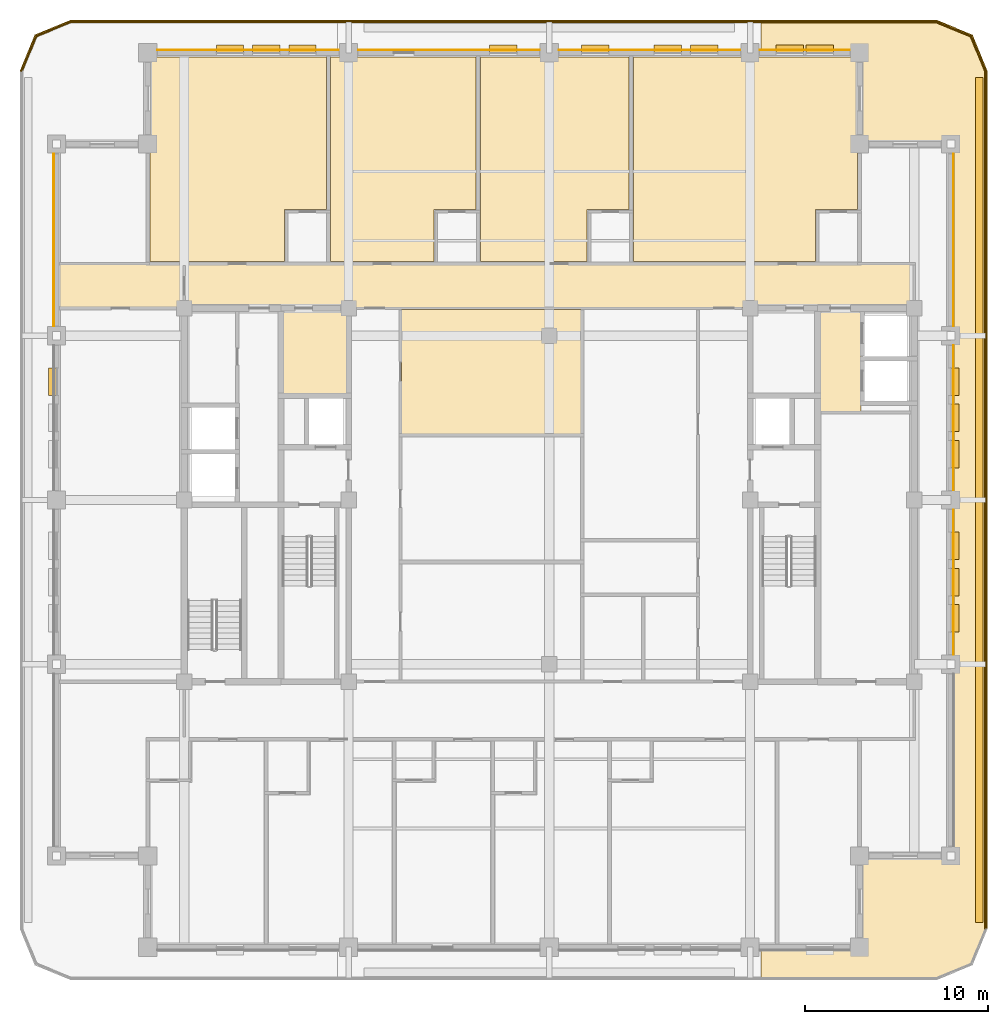
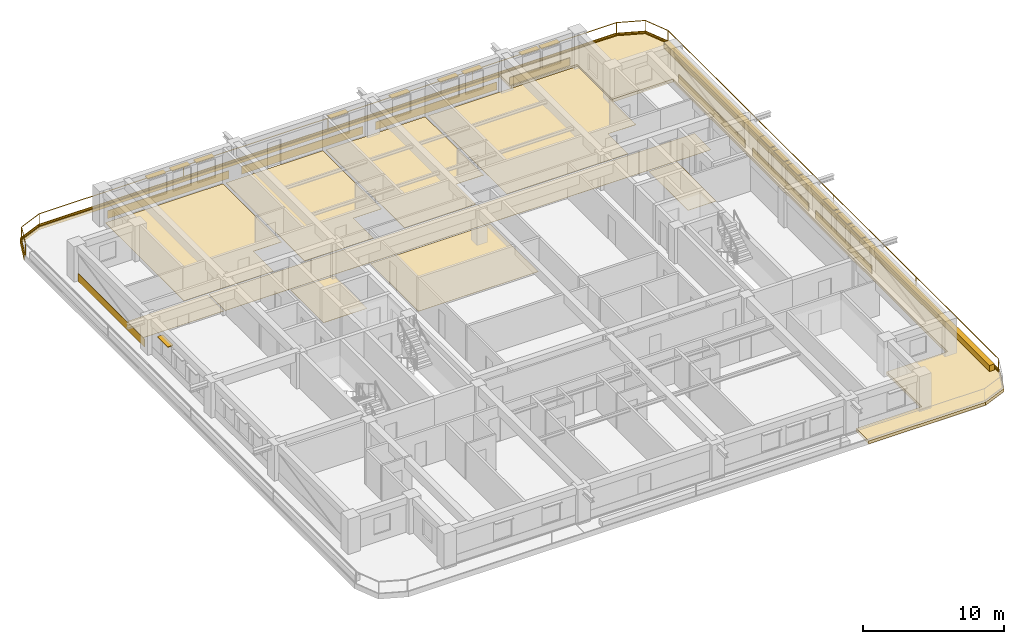
# One storey, part 14 of 14: 25 coverings, 16 shading devices, 2 railings.
"""IFC4 building model written with IfcOpenShell, lengths in metres."""

from ifc_helpers import new_model, si_unit, direction, frame, frame_2d, origin, origin_2d, place, context, subcontext, project, spatial, polyline, rectangle, outline, extrude, material, layer, layer_set, type_object, element, save


model = new_model("IFC4")

# Units and contexts
model_context = context("Model", 3, precision=1e-05, world=origin(), true_north=direction((0.0, 1.0)))
body_context = subcontext(model_context, "Body", "Model", "MODEL_VIEW")
ifc_project = project(units=[si_unit("LENGTHUNIT", "METRE"), si_unit("AREAUNIT", "SQUARE_METRE"), si_unit("VOLUMEUNIT", "CUBIC_METRE"), si_unit("PLANEANGLEUNIT", "RADIAN"), si_unit("MASSUNIT", "GRAM", prefix="KILO")], contexts=[model_context])

# Site, building, storey
site_placement = place(None, origin())
site = spatial("IfcSite", under=ifc_project, at=site_placement, CompositionType="ELEMENT")
building_placement = place(site_placement, origin())
building = spatial("IfcBuilding", under=site, at=building_placement, Name="Zulmaris Gate Convention Tower", CompositionType="ELEMENT")
storey_placement = place(building_placement, frame((0.0, 0.0, 208.4599609375)))
storey = spatial("IfcBuildingStorey", under=building, at=storey_placement, Name="L54", CompositionType="ELEMENT", Elevation=208.4599609375)

# Coverings
ifc_material_1 = material(Name="Precast concrete C40/50", Category="concrete")
ifc_layer_1 = layer(ifc_material_1, 0.0400390625, Name="Precast concrete C40/50")
ifc_layer_set_1 = layer_set([ifc_layer_1], Name="Precast concrete C40/50")
covering_type_1 = type_object("IfcCoveringType", Name="CLAD-SPANDREL-PRECAST", PredefinedType="CLADDING", material=ifc_layer_set_1)
for number, where, z_axis, x_axis, name in (
    (1, (-11.530029296875, 24.64990234375, 0.0), (0.0, 0.0, 1.0), (-1.0, 0.0, 0.0), "CLD-L54-N-0_0"),
    (2, (-0.530029296875, 24.64990234375, 0.0), (0.0, 0.0, 1.0), (-1.0, 0.0, 0.0), "CLD-L54-N-1_0"),
    (3, (10.469970703125, 24.64990234375, 0.0), (0.0, 0.0, 1.0), (-1.0, 0.0, 0.0), "CLD-L54-N-2_0"),
):
    element("IfcCovering", number, at=place(storey_placement, frame(where, z_axis=z_axis, x_axis=x_axis)), inside=storey, type_object=covering_type_1, Name=name, PredefinedType="CLADDING", context=body_context, shape_type="SweptSolid", body=[
        extrude(rectangle(XDim=9.93994140625, YDim=0.0400390625, at=frame_2d((4.969970703125, 0.0))), origin(), (0.0, 0.0, 1.0), 0.679931640625),
    ])
covering_1_placement = place(storey_placement, frame((16.469970703125, 24.64990234375, 0.0), z_axis=(0.0, 0.0, 1.0), x_axis=(-1.0, 0.0, 0.0)))
element("IfcCovering", 4, at=covering_1_placement, inside=storey, type_object=covering_type_1, Name="CLD-L54-N-3_0", PredefinedType="CLADDING", context=body_context, shape_type="SweptSolid", body=[
    extrude(rectangle(XDim=4.93994140625, YDim=0.0400390625, at=frame_2d((2.469970703125, 0.0))), origin(), (0.0, 0.0, 1.0), 0.679931640625),
])
for number, where, z_axis, x_axis, name in (
    (5, (22.14990234375, -8.469970703125, 0.0), (0.0, 0.0, 1.0), (0.0, 1.0, 0.0), "CLD-L54-E-1_0"),
    (6, (22.14990234375, 0.530029296875, 0.0), (0.0, 0.0, 1.0), (0.0, 1.0, 0.0), "CLD-L54-E-2_0"),
):
    element("IfcCovering", number, at=place(storey_placement, frame(where, z_axis=z_axis, x_axis=x_axis)), inside=storey, type_object=covering_type_1, Name=name, PredefinedType="CLADDING", context=body_context, shape_type="SweptSolid", body=[
        extrude(rectangle(XDim=7.93994140625, YDim=0.0400390625, at=frame_2d((3.969970703125, 0.0))), origin(), (0.0, 0.0, 1.0), 0.679931640625),
    ])
for number, where, z_axis, x_axis, name in (
    (7, (22.14990234375, 9.530029296875, 0.0), (0.0, 0.0, 1.0), (0.0, 1.0, 0.0), "CLD-L54-E-3_0"),
    (8, (-27.14990234375, 18.969970703125, 0.0), (0.0, 0.0, 1.0), (0.0, -1.0, 0.0), "CLD-L54-W-3_0"),
):
    element("IfcCovering", number, at=place(storey_placement, frame(where, z_axis=z_axis, x_axis=x_axis)), inside=storey, type_object=covering_type_1, Name=name, PredefinedType="CLADDING", context=body_context, shape_type="SweptSolid", body=[
        extrude(rectangle(XDim=9.43994140625, YDim=0.0400390625, at=frame_2d((4.719970703125, 0.0))), origin(), (0.0, 0.0, 1.0), 0.679931640625),
    ])
ifc_material_2 = material(Name="White Glazed Architectural Precast Concrete C40/50", Category="concrete")
ifc_layer_2 = layer(ifc_material_2, 0.239990234375, Name="White Glazed Architectural Precast Concrete C40/50")
ifc_layer_set_2 = layer_set([ifc_layer_2], Name="White Glazed Architectural Precast Concrete C40/50")
covering_type_2 = type_object("IfcCoveringType", Name="CLAD-TRAY-DECK", PredefinedType="CLADDING", material=ifc_layer_set_2)
covering_2_placement = place(storey_placement, frame((0.0, 0.0, -0.25)))
element("IfcCovering", 9, at=covering_2_placement, inside=storey, type_object=covering_type_2, Name="L54 East Rounded-Fascia Planter Tray Deck", PredefinedType="CLADDING", context=body_context, shape_type="SweptSolid", body=[
    extrude(outline(polyline([(21.199951171875, 26.300048828125), (23.179931640625, 25.47998046875), (24.0, 23.5), (24.0, -23.5), (23.179931640625, -25.47998046875), (21.199951171875, -26.300048828125), (11.60205078125, -26.300048828125), (11.60205078125, -24.5), (17.0, -24.5), (17.0, -19.5), (22.0, -19.5), (22.0, 19.5), (17.0, 19.5), (17.0, 24.5), (11.60205078125, 24.5), (11.60205078125, 26.300048828125), (21.199951171875, 26.300048828125)])), origin(), (0.0, 0.0, 1.0), 0.260009765625),
])
ifc_layer_3 = layer(ifc_material_2, 0.080078125, Name="White Glazed Architectural Precast Concrete C40/50")
ifc_layer_set_3 = layer_set([ifc_layer_3], Name="White Glazed Architectural Precast Concrete C40/50")
covering_type_3 = type_object("IfcCoveringType", Name="CLAD-TRAY-FASCIA", PredefinedType="CLADDING", material=ifc_layer_set_3)
covering_3_placement = place(storey_placement, frame((23.9599609375, -23.5, -0.2900390625), z_axis=(0.0, 0.0, 1.0), x_axis=(0.0, 1.0, 0.0)))
element("IfcCovering", 10, at=covering_3_placement, inside=storey, type_object=covering_type_3, Name="FSC-L54-TR-05", PredefinedType="CLADDING", context=body_context, shape_type="SweptSolid", body=[
    extrude(rectangle(XDim=47.0, YDim=0.080078125, at=frame_2d((23.5, 0.0))), origin(), (0.0, 0.0, 1.0), 0.4599609375),
])
covering_4_placement = place(storey_placement, frame((23.962890625, 23.484619140625, -0.2900390625), z_axis=(0.0, 0.0, 1.0), x_axis=(-0.382656984709, 0.923890487046, 0.0)))
element("IfcCovering", 11, at=covering_4_placement, inside=storey, type_object=covering_type_3, Name="FSC-L54-TR-06", PredefinedType="CLADDING", context=body_context, shape_type="SweptSolid", body=[
    extrude(rectangle(XDim=2.14306640625, YDim=0.080078125, at=frame_2d((1.071533203125, 0.0))), origin(), (0.0, 0.0, 1.0), 0.4599609375),
])
covering_5_placement = place(storey_placement, frame((23.16455078125, 25.44287109375, -0.2900390625), z_axis=(0.0, 0.0, 1.0), x_axis=(-0.923873803533, 0.382697263049, 0.0)))
element("IfcCovering", 12, at=covering_5_placement, inside=storey, type_object=covering_type_3, Name="FSC-L54-TR-07", PredefinedType="CLADDING", context=body_context, shape_type="SweptSolid", body=[
    extrude(rectangle(XDim=2.142822265625, YDim=0.080078125, at=frame_2d((1.0712890625, 0.0))), origin(), (0.0, 0.0, 1.0), 0.4599609375),
])
covering_6_placement = place(storey_placement, frame((21.199951171875, 26.260009765625, -0.2900390625), z_axis=(0.0, 0.0, 1.0), x_axis=(-1.0, 0.0, 0.0)))
element("IfcCovering", 13, at=covering_6_placement, inside=storey, type_object=covering_type_3, Name="FSC-L54-TR-08", PredefinedType="CLADDING", context=body_context, shape_type="SweptSolid", body=[
    extrude(rectangle(XDim=47.39990234375, YDim=0.080078125, at=frame_2d((23.699951171875, 0.0))), origin(), (0.0, 0.0, 1.0), 0.4599609375),
])
covering_7_placement = place(storey_placement, frame((-26.184814453125, 26.262939453125, -0.2900390625), z_axis=(0.0, 0.0, 1.0), x_axis=(-0.923873803533, -0.382697263049, 0.0)))
element("IfcCovering", 14, at=covering_7_placement, inside=storey, type_object=covering_type_3, Name="FSC-L54-TR-09", PredefinedType="CLADDING", context=body_context, shape_type="SweptSolid", body=[
    extrude(rectangle(XDim=2.142822265625, YDim=0.080078125, at=frame_2d((1.0712890625, 0.0))), origin(), (0.0, 0.0, 1.0), 0.4599609375),
])
covering_8_placement = place(storey_placement, frame((-28.142822265625, 25.464599609375, -0.2900390625), z_axis=(0.0, 0.0, 1.0), x_axis=(-0.382656984709, -0.923890487046, 0.0)))
element("IfcCovering", 15, at=covering_8_placement, inside=storey, type_object=covering_type_3, Name="FSC-L54-TR-10", PredefinedType="CLADDING", context=body_context, shape_type="SweptSolid", body=[
    extrude(rectangle(XDim=2.14306640625, YDim=0.080078125, at=frame_2d((1.071533203125, 0.0))), origin(), (0.0, 0.0, 1.0), 0.4599609375),
])
ifc_material_3 = material(Name="Woven Acoustic Wool Carpet Tile")
ifc_layer_4 = layer(ifc_material_3, 0.02001953125, Name="Woven Acoustic Wool Carpet Tile")
ifc_layer_set_4 = layer_set([ifc_layer_4], Name="Woven Acoustic Wool Carpet Tile")
covering_type_4 = type_object("IfcCoveringType", Name="FLR-CARPET-12", PredefinedType="FLOORING", material=ifc_layer_set_4)
covering_9_placement = place(storey_placement, origin())
element("IfcCovering", 16, at=covering_9_placement, inside=storey, type_object=covering_type_4, Name="FLR-L54-R11", PredefinedType="FLOORING", context=body_context, shape_type="SweptSolid", body=[
    extrude(outline(polyline([(-14.639892578125, 5.760009765625), (-11.06005859375, 5.760009765625), (-11.06005859375, 10.43994140625), (-14.639892578125, 10.43994140625), (-14.639892578125, 5.760009765625)])), origin(), (0.0, 0.0, 1.0), 0.02001953125),
])
covering_10_placement = place(storey_placement, origin())
element("IfcCovering", 17, at=covering_10_placement, inside=storey, type_object=covering_type_4, Name="FLR-L54-R21", PredefinedType="FLOORING", context=body_context, shape_type="SweptSolid", body=[
    extrude(outline(polyline([(14.760009765625, 4.860107421875), (17.090087890625, 4.860107421875), (17.090087890625, 10.43994140625), (14.760009765625, 10.43994140625), (14.760009765625, 4.860107421875)])), origin(), (0.0, 0.0, 1.0), 0.02001953125),
])
covering_11_placement = place(storey_placement, origin())
element("IfcCovering", 18, at=covering_11_placement, inside=storey, type_object=covering_type_4, Name="FLR-L54-R25", PredefinedType="FLOORING", context=body_context, shape_type="SweptSolid", body=[
    extrude(outline(polyline([(-19.93994140625, 10.56005859375), (19.93994140625, 10.56005859375), (19.93994140625, 12.889892578125), (-19.93994140625, 12.889892578125), (-19.93994140625, 10.56005859375)])), origin(), (0.0, 0.0, 1.0), 0.02001953125),
])
covering_12_placement = place(storey_placement, origin())
element("IfcCovering", 19, at=covering_12_placement, inside=storey, type_object=covering_type_4, Name="FLR-L54-R55", PredefinedType="FLOORING", context=body_context, shape_type="SweptSolid", body=[
    extrude(outline(polyline([(-26.93994140625, 10.56005859375), (-20.06005859375, 10.56005859375), (-20.06005859375, 12.889892578125), (-26.93994140625, 12.889892578125), (-26.93994140625, 10.56005859375)])), origin(), (0.0, 0.0, 1.0), 0.02001953125),
])
ifc_material_4 = material(Name="Engineered Teak Parquet Flooring")
ifc_layer_5 = layer(ifc_material_4, 0.02001953125, Name="Engineered Teak Parquet Flooring")
ifc_layer_set_5 = layer_set([ifc_layer_5], Name="Engineered Teak Parquet Flooring")
covering_type_5 = type_object("IfcCoveringType", Name="FLR-TIMBER-18", PredefinedType="FLOORING", material=ifc_layer_set_5)
covering_13_placement = place(storey_placement, origin())
element("IfcCovering", 20, at=covering_13_placement, inside=storey, type_object=covering_type_5, Name="FLR-L54-R30", PredefinedType="FLOORING", context=body_context, shape_type="SweptSolid", body=[
    extrude(outline(polyline([(-21.8798828125, 13.070068359375), (-14.52001953125, 13.070068359375), (-14.52001953125, 15.919921875), (-12.219970703125, 15.919921875), (-12.219970703125, 24.260009765625), (-21.8798828125, 24.260009765625), (-21.8798828125, 13.070068359375)])), origin(), (0.0, 0.0, 1.0), 0.02001953125),
])
covering_14_placement = place(storey_placement, origin())
element("IfcCovering", 21, at=covering_14_placement, inside=storey, type_object=covering_type_5, Name="FLR-L54-R32", PredefinedType="FLOORING", context=body_context, shape_type="SweptSolid", body=[
    extrude(outline(polyline([(-11.97998046875, 13.070068359375), (-6.320068359375, 13.070068359375), (-6.320068359375, 15.919921875), (-4.02001953125, 15.919921875), (-4.02001953125, 24.260009765625), (-11.97998046875, 24.260009765625), (-11.97998046875, 13.070068359375)])), origin(), (0.0, 0.0, 1.0), 0.02001953125),
])
covering_15_placement = place(storey_placement, origin())
element("IfcCovering", 22, at=covering_15_placement, inside=storey, type_object=covering_type_5, Name="FLR-L54-R34", PredefinedType="FLOORING", context=body_context, shape_type="SweptSolid", body=[
    extrude(outline(polyline([(-3.780029296875, 13.070068359375), (2.080078125, 13.070068359375), (2.080078125, 15.919921875), (4.3798828125, 15.919921875), (4.3798828125, 24.260009765625), (-3.780029296875, 24.260009765625), (-3.780029296875, 13.070068359375)])), origin(), (0.0, 0.0, 1.0), 0.02001953125),
])
covering_16_placement = place(storey_placement, origin())
element("IfcCovering", 23, at=covering_16_placement, inside=storey, type_object=covering_type_5, Name="FLR-L54-R36", PredefinedType="FLOORING", context=body_context, shape_type="SweptSolid", body=[
    extrude(outline(polyline([(4.6201171875, 13.070068359375), (14.580078125, 13.070068359375), (14.580078125, 15.919921875), (16.8798828125, 15.919921875), (16.8798828125, 24.260009765625), (4.6201171875, 24.260009765625), (4.6201171875, 13.070068359375)])), origin(), (0.0, 0.0, 1.0), 0.02001953125),
])
covering_17_placement = place(storey_placement, origin())
element("IfcCovering", 24, at=covering_17_placement, inside=storey, type_object=covering_type_5, Name="FLR-L54-R48", PredefinedType="FLOORING", context=body_context, shape_type="SweptSolid", body=[
    extrude(outline(polyline([(-8.090087890625, 3.610107421875), (1.739990234375, 3.610107421875), (1.739990234375, 10.43994140625), (-8.090087890625, 10.43994140625), (-8.090087890625, 3.610107421875)])), origin(), (0.0, 0.0, 1.0), 0.02001953125),
])
ifc_material_5 = material(Name="Botanical Green Glazed Precast Concrete C40/50", Category="concrete")
ifc_layer_6 = layer(ifc_material_5, 0.419921875, Name="Botanical Green Glazed Precast Concrete C40/50")
ifc_layer_set_6 = layer_set([ifc_layer_6], Name="Botanical Green Glazed Precast Concrete C40/50")
covering_type_6 = type_object("IfcCoveringType", Name="PLANTER-BOX-200", PredefinedType="CLADDING", material=ifc_layer_set_6)
covering_18_placement = place(storey_placement, frame((0.0, 0.0, 0.010009765625)))
element("IfcCovering", 25, at=covering_18_placement, inside=storey, type_object=covering_type_6, Name="L54 E Full-Length Balcony Tree Planter Trough", PredefinedType="CLADDING", context=body_context, shape_type="SweptSolid", body=[
    extrude(outline(polyline([(23.340087890625, -23.14990234375), (23.760009765625, -23.14990234375), (23.760009765625, 23.14990234375), (23.340087890625, 23.14990234375), (23.340087890625, -23.14990234375)])), origin(), (0.0, 0.0, 1.0), 0.52001953125),
])

# Railings
ifc_material_6 = material(Name="Laminated Glass and Stainless Steel", Category="steel")
railing_type = type_object("IfcRailingType", Name="RL-BALC-1150", PredefinedType="BALUSTRADE", material=ifc_material_6)
railing_1_placement = place(storey_placement, frame((23.8798828125, -23.5, 0.010009765625)))
element("IfcRailing", 26, at=railing_1_placement, inside=storey, type_object=railing_type, Name="RL-L54-BALC-E", PredefinedType="BALUSTRADE", context=body_context, shape_type="SweptSolid", body=[
    extrude(rectangle(XDim=0.048095703125, YDim=0.048095703125, at=origin_2d()), frame((0.0, 0.0, 1.1259765625), z_axis=(0.0, 1.0, 0.0), x_axis=(-1.0, 0.0, 0.0)), (0.0, 0.0, 1.0), 47.0),
    extrude(rectangle(XDim=0.048095703125, YDim=0.048095703125, at=origin_2d()), frame((0.0, 0.0, 0.02392578125), z_axis=(0.0, 1.0, 0.0), x_axis=(-1.0, 0.0, 0.0)), (0.0, 0.0, 1.0), 47.0),
    extrude(rectangle(XDim=0.0419921875, YDim=0.0419921875, at=origin_2d()), origin(), (0.0, 0.0, 1.0), 1.101806640625),
    extrude(rectangle(XDim=0.0419921875, YDim=0.0419921875, at=origin_2d()), frame((0.0, 11.75, 0.0)), (0.0, 0.0, 1.0), 1.101806640625),
    extrude(rectangle(XDim=0.0419921875, YDim=0.0419921875, at=origin_2d()), frame((0.0, 23.5, 0.0)), (0.0, 0.0, 1.0), 1.101806640625),
    extrude(rectangle(XDim=0.0419921875, YDim=0.0419921875, at=origin_2d()), frame((0.0, 35.25, 0.0)), (0.0, 0.0, 1.0), 1.101806640625),
    extrude(rectangle(XDim=0.0419921875, YDim=0.0419921875, at=origin_2d()), frame((0.0, 47.0, 0.0)), (0.0, 0.0, 1.0), 1.101806640625),
])
railing_2_placement = place(storey_placement, frame((23.8798828125, 23.5, 0.010009765625)))
element("IfcRailing", 27, at=railing_2_placement, inside=storey, type_object=railing_type, Name="RL-L54-BALC-N", PredefinedType="BALUSTRADE", context=body_context, shape_type="SweptSolid", body=[
    extrude(rectangle(XDim=0.048095703125, YDim=0.048095703125, at=origin_2d()), frame((0.0, 0.0, 1.1259765625), z_axis=(-0.382670664694, 0.92388482095, 0.0), x_axis=(-0.92388482095, -0.382670664694, 0.0)), (0.0, 0.0, 1.0), 2.051025390625),
    extrude(rectangle(XDim=0.048095703125, YDim=0.048095703125, at=origin_2d()), frame((0.0, 0.0, 0.02392578125), z_axis=(-0.382670664694, 0.92388482095, 0.0), x_axis=(-0.92388482095, -0.382670664694, 0.0)), (0.0, 0.0, 1.0), 2.051025390625),
    extrude(rectangle(XDim=0.048095703125, YDim=0.048095703125, at=origin_2d()), frame((-0.784912109375, 1.89501953125, 1.1259765625), z_axis=(-0.92388482095, 0.382670664694, 0.0), x_axis=(-0.382670664694, -0.92388482095, 0.0)), (0.0, 0.0, 1.0), 2.051025390625),
    extrude(rectangle(XDim=0.048095703125, YDim=0.048095703125, at=origin_2d()), frame((-0.784912109375, 1.89501953125, 0.02392578125), z_axis=(-0.92388482095, 0.382670664694, 0.0), x_axis=(-0.382670664694, -0.92388482095, 0.0)), (0.0, 0.0, 1.0), 2.051025390625),
    extrude(rectangle(XDim=0.048095703125, YDim=0.048095703125, at=origin_2d()), frame((-2.679931640625, 2.679931640625, 1.1259765625), z_axis=(-1.0, 0.0, 0.0), x_axis=(0.0, -1.0, 0.0)), (0.0, 0.0, 1.0), 47.39990234375),
    extrude(rectangle(XDim=0.048095703125, YDim=0.048095703125, at=origin_2d()), frame((-2.679931640625, 2.679931640625, 0.02392578125), z_axis=(-1.0, 0.0, 0.0), x_axis=(0.0, -1.0, 0.0)), (0.0, 0.0, 1.0), 47.39990234375),
    extrude(rectangle(XDim=0.048095703125, YDim=0.048095703125, at=origin_2d()), frame((-50.079833984375, 2.679931640625, 1.1259765625), z_axis=(-0.92388482095, -0.382670664694, 0.0), x_axis=(0.382670664694, -0.92388482095, 0.0)), (0.0, 0.0, 1.0), 2.051025390625),
    extrude(rectangle(XDim=0.048095703125, YDim=0.048095703125, at=origin_2d()), frame((-50.079833984375, 2.679931640625, 0.02392578125), z_axis=(-0.92388482095, -0.382670664694, 0.0), x_axis=(0.382670664694, -0.92388482095, 0.0)), (0.0, 0.0, 1.0), 2.051025390625),
    extrude(rectangle(XDim=0.048095703125, YDim=0.048095703125, at=origin_2d()), frame((-51.974853515625, 1.89501953125, 1.1259765625), z_axis=(-0.382670664694, -0.92388482095, 0.0), x_axis=(0.92388482095, -0.382670664694, 0.0)), (0.0, 0.0, 1.0), 2.051025390625),
    extrude(rectangle(XDim=0.048095703125, YDim=0.048095703125, at=origin_2d()), frame((-51.974853515625, 1.89501953125, 0.02392578125), z_axis=(-0.382670664694, -0.92388482095, 0.0), x_axis=(0.92388482095, -0.382670664694, 0.0)), (0.0, 0.0, 1.0), 2.051025390625),
    extrude(rectangle(XDim=0.0419921875, YDim=0.0419921875, at=origin_2d()), origin(), (0.0, 0.0, 1.0), 1.101806640625),
    extrude(rectangle(XDim=0.0419921875, YDim=0.0419921875, at=origin_2d()), frame((-0.784912109375, 1.89501953125, 0.0)), (0.0, 0.0, 1.0), 1.101806640625),
    extrude(rectangle(XDim=0.0419921875, YDim=0.0419921875, at=origin_2d()), frame((-2.679931640625, 2.679931640625, 0.0)), (0.0, 0.0, 1.0), 1.101806640625),
    extrude(rectangle(XDim=0.0419921875, YDim=0.0419921875, at=origin_2d()), frame((-14.52978515625, 2.679931640625, 0.0)), (0.0, 0.0, 1.0), 1.101806640625),
    extrude(rectangle(XDim=0.0419921875, YDim=0.0419921875, at=origin_2d()), frame((-26.3798828125, 2.679931640625, 0.0)), (0.0, 0.0, 1.0), 1.101806640625),
    extrude(rectangle(XDim=0.0419921875, YDim=0.0419921875, at=origin_2d()), frame((-38.22998046875, 2.679931640625, 0.0)), (0.0, 0.0, 1.0), 1.101806640625),
    extrude(rectangle(XDim=0.0419921875, YDim=0.0419921875, at=origin_2d()), frame((-50.079833984375, 2.679931640625, 0.0)), (0.0, 0.0, 1.0), 1.101806640625),
    extrude(rectangle(XDim=0.0419921875, YDim=0.0419921875, at=origin_2d()), frame((-51.974853515625, 1.89501953125, 0.0)), (0.0, 0.0, 1.0), 1.101806640625),
    extrude(rectangle(XDim=0.0419921875, YDim=0.0419921875, at=origin_2d()), frame((-52.759765625, 0.0, 0.0)), (0.0, 0.0, 1.0), 1.101806640625),
])

# Shading devices
ifc_material_7 = material(Name="Glazed Ceramic Terracotta", Category="masonry")
ifc_layer_7 = layer(ifc_material_7, 0.070068359375, Name="Glazed Ceramic Terracotta")
ifc_layer_set_7 = layer_set([ifc_layer_7], Name="Glazed Ceramic Terracotta")
shading_device_type = type_object("IfcShadingDeviceType", Name="SHD-SUNSHADE-TC", PredefinedType="AWNING", material=ifc_layer_set_7)
for number, where, z_axis, x_axis, name in (
    (28, (-12.76806640625, 24.719970703125, 2.35009765625), (0.0, 0.0, 1.0), (-1.0, 0.0, 0.0), "SHD-EW-L54-N-0_0-1"),
    (29, (-14.756103515625, 24.719970703125, 2.35009765625), (0.0, 0.0, 1.0), (-1.0, 0.0, 0.0), "SHD-EW-L54-N-0_0-2"),
    (30, (-16.743896484375, 24.719970703125, 2.35009765625), (0.0, 0.0, 1.0), (-1.0, 0.0, 0.0), "SHD-EW-L54-N-0_0-3"),
    (31, (-1.76806640625, 24.719970703125, 2.35009765625), (0.0, 0.0, 1.0), (-1.0, 0.0, 0.0), "SHD-EW-L54-N-1_0-1"),
    (32, (9.23193359375, 24.719970703125, 2.35009765625), (0.0, 0.0, 1.0), (-1.0, 0.0, 0.0), "SHD-EW-L54-N-2_0-1"),
    (33, (7.243896484375, 24.719970703125, 2.35009765625), (0.0, 0.0, 1.0), (-1.0, 0.0, 0.0), "SHD-EW-L54-N-2_0-2"),
    (34, (3.26806640625, 24.719970703125, 2.35009765625), (0.0, 0.0, 1.0), (-1.0, 0.0, 0.0), "SHD-EW-L54-N-2_0-4"),
    (35, (15.572998046875, 24.719970703125, 2.35009765625), (0.0, 0.0, 1.0), (-1.0, 0.0, 0.0), "SHD-EW-L54-N-3_0-1"),
    (36, (13.927001953125, 24.719970703125, 2.35009765625), (0.0, 0.0, 1.0), (-1.0, 0.0, 0.0), "SHD-EW-L54-N-3_0-2"),
    (37, (22.219970703125, -7.235107421875, 2.35009765625), (0.0, 0.0, 1.0), (0.0, 1.0, 0.0), "SHD-EW-L54-E-1_0-1"),
    (38, (22.219970703125, -5.25, 2.35009765625), (0.0, 0.0, 1.0), (0.0, 1.0, 0.0), "SHD-EW-L54-E-1_0-2"),
    (39, (22.219970703125, -3.264892578125, 2.35009765625), (0.0, 0.0, 1.0), (0.0, 1.0, 0.0), "SHD-EW-L54-E-1_0-3"),
    (40, (22.219970703125, 1.764892578125, 2.35009765625), (0.0, 0.0, 1.0), (0.0, 1.0, 0.0), "SHD-EW-L54-E-2_0-1"),
    (41, (22.219970703125, 3.75, 2.35009765625), (0.0, 0.0, 1.0), (0.0, 1.0, 0.0), "SHD-EW-L54-E-2_0-2"),
    (42, (22.219970703125, 5.735107421875, 2.35009765625), (0.0, 0.0, 1.0), (0.0, 1.0, 0.0), "SHD-EW-L54-E-2_0-3"),
    (43, (-27.219970703125, 7.235107421875, 2.35009765625), (0.0, 0.0, 1.0), (0.0, -1.0, 0.0), "SHD-EW-L54-W-2_0-1"),
):
    element("IfcShadingDevice", number, at=place(storey_placement, frame(where, z_axis=z_axis, x_axis=x_axis)), inside=storey, type_object=shading_device_type, Name=name, PredefinedType="AWNING", context=body_context, shape_type="SweptSolid", body=[
        extrude(rectangle(XDim=1.5, YDim=0.43994140625, at=frame_2d((0.75, 0.0))), origin(), (0.0, 0.0, 1.0), 0.06982421875),
    ])

save(model, "model.ifc")
